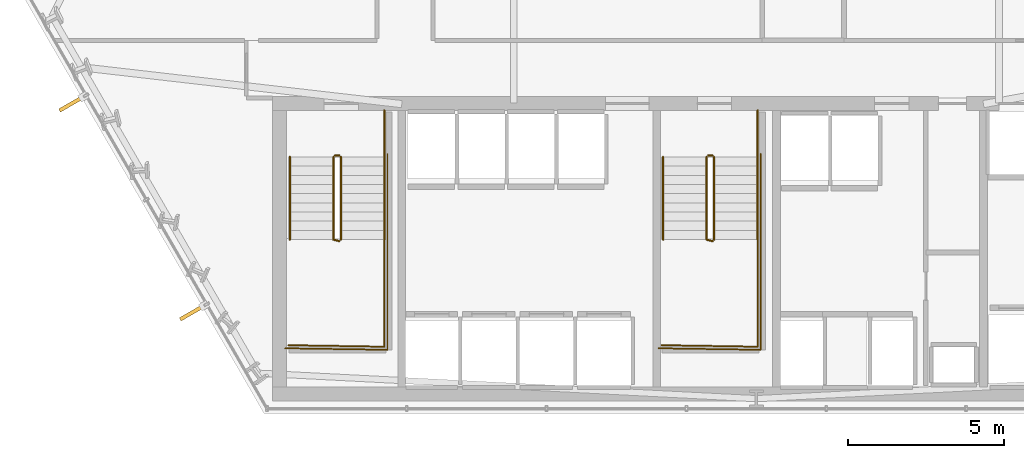
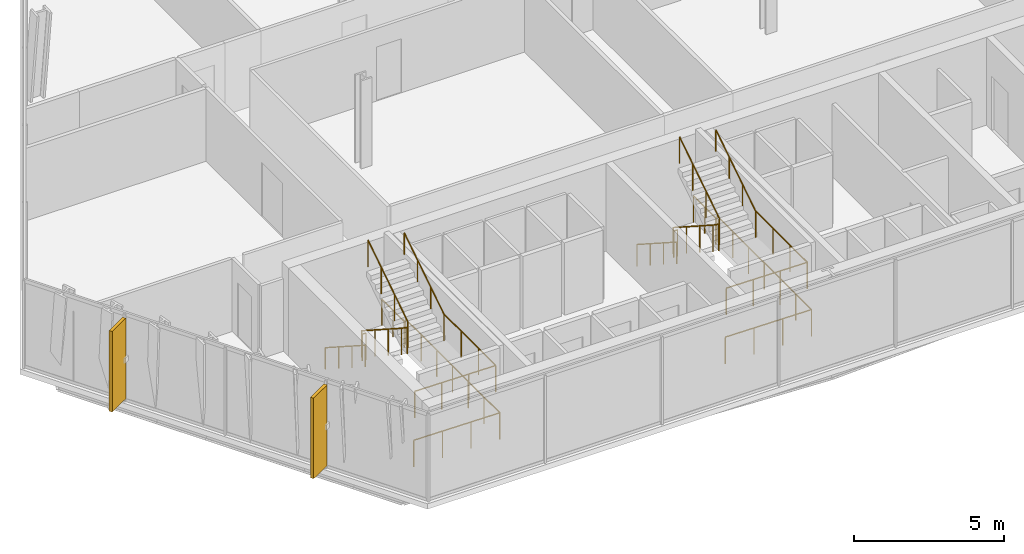
# One storey, part 29 of 32: 16 railings, 2 shading devices.
"""IFC4 building model written with IfcOpenShell, lengths in metres."""

import ifcopenshell
import ifcopenshell.guid

model = None  # the IFC model being written
_history = None  # IfcOwnerHistory: only IFC2X3 demands one
_inside = {}  # id of a spatial element -> (the spatial element, [elements in it])
_under = {}  # id of a project, library or spatial element -> (it, [spatial elements below it])
_declared = {}  # id of a project -> (the project, [libraries it declares])
_typed = {}  # id of a type object -> (the type object, [elements of that type])
_made_of = {}  # id of a material, layer set ... -> (it, [elements and type objects made of it])


def new_model(schema):
    """Start an empty IFC model of exactly this schema.

    Asked for "IFC4X3", IfcOpenShell would pick the latest addendum, in which some entities
    have other attributes; the version numbers below select the first issue.
    IFC2X3 requires an IfcOwnerHistory on every rooted entity: one is made here for all.
    """
    global model, _history
    if schema == "IFC4X3":
        model = ifcopenshell.file(schema_version=(4, 3, 0, 0))
    else:
        model = ifcopenshell.file(schema=schema)
    _inside.clear()
    _under.clear()
    _declared.clear()
    _typed.clear()
    _made_of.clear()
    _history = None
    if model.schema == "IFC2X3":
        org = make("IfcOrganization", Name="unknown")
        user = make(
            "IfcPersonAndOrganization",
            ThePerson=make("IfcPerson", FamilyName="unknown"),
            TheOrganization=org,
        )
        app = make(
            "IfcApplication",
            ApplicationDeveloper=org,
            Version="unknown",
            ApplicationFullName="unknown",
            ApplicationIdentifier="unknown",
        )
        _history = make(
            "IfcOwnerHistory",
            OwningUser=user,
            OwningApplication=app,
            ChangeAction="ADDED",
            CreationDate=0,
        )
    return model


def make(cls, **values):
    """One entity of the class cls with the attributes given. An attribute that is None is left unset."""
    return model.create_entity(
        cls, **{name: value for name, value in values.items() if value is not None}
    )


def rooted(cls, **values):
    """An entity with a GlobalId (a new one), such as an element, a storey or a relation."""
    return make(cls, GlobalId=ifcopenshell.guid.new(), OwnerHistory=_history, **values)


def si_unit(unit_type, name, prefix=None):
    """IfcSIUnit, for example si_unit("LENGTHUNIT", "METRE", prefix="MILLI")."""
    return make("IfcSIUnit", UnitType=unit_type, Prefix=prefix, Name=name)


def assignment(units):
    """IfcUnitAssignment: the units of a project."""
    return None if units is None else make("IfcUnitAssignment", Units=units)


def point(xyz):
    """IfcCartesianPoint."""
    return None if xyz is None else make("IfcCartesianPoint", Coordinates=xyz)


def direction(xyz):
    """IfcDirection."""
    return None if xyz is None else make("IfcDirection", DirectionRatios=xyz)


def frame(location, z_axis=None, x_axis=None):
    """IfcAxis2Placement3D, a coordinate frame: its origin and axes. An axis left out is left unset."""
    return make(
        "IfcAxis2Placement3D",
        Location=point(location),
        Axis=direction(z_axis),
        RefDirection=direction(x_axis),
    )


def frame_2d(location, x_axis=None):
    """IfcAxis2Placement2D, a coordinate frame in the plane: its origin and x axis."""
    return make(
        "IfcAxis2Placement2D", Location=point(location), RefDirection=direction(x_axis)
    )


def origin():
    """The frame at (0, 0, 0) with its axes left unset."""
    return frame((0.0, 0.0, 0.0))


def origin_2d():
    """The frame at (0, 0) in the plane with its x axis left unset."""
    return frame_2d((0.0, 0.0))


def place(relative_to, where):
    """IfcLocalPlacement: puts the frame where relative to a parent placement (None: the world)."""
    return make(
        "IfcLocalPlacement", PlacementRelTo=relative_to, RelativePlacement=where
    )


def context(
    kind, dimensions, precision=None, world=None, true_north=None, identifier=None
):
    """IfcGeometricRepresentationContext, for example the 3D "Model" context."""
    return make(
        "IfcGeometricRepresentationContext",
        ContextIdentifier=identifier,
        ContextType=kind,
        CoordinateSpaceDimension=dimensions,
        Precision=precision,
        WorldCoordinateSystem=world,
        TrueNorth=true_north,
    )


def subcontext(parent, identifier, kind, view, scale=None):
    """IfcGeometricRepresentationSubContext, for example "Body" below "Model"."""
    return make(
        "IfcGeometricRepresentationSubContext",
        ContextIdentifier=identifier,
        ContextType=kind,
        ParentContext=parent,
        TargetScale=scale,
        TargetView=view,
    )


def project(units=None, contexts=None):
    """IfcProject with its units and contexts."""
    return rooted(
        "IfcProject",
        Name="project",
        RepresentationContexts=contexts,
        UnitsInContext=assignment(units),
    )


def spatial(cls, under=None, at=None, **own):
    """A site, building, storey or space (cls), placed at a placement, below another one or the project."""
    s = rooted(cls, ObjectPlacement=at, **own)
    if under is not None:
        _under.setdefault(under.id(), (under, []))[1].append(s)
    return s


def profile(cls, at=None, kind="AREA", **sizes):
    """A parametric profile (cls). Its sizes go by their IFC names, for example OverallWidth=200.0."""
    return make(cls, ProfileType=kind, Position=at, **sizes)


def rectangle(**sizes):
    """IfcRectangleProfileDef."""
    return profile("IfcRectangleProfileDef", **sizes)


def circle(**sizes):
    """IfcCircleProfileDef."""
    return profile("IfcCircleProfileDef", **sizes)


def extrude(swept, where, along, depth):
    """IfcExtrudedAreaSolid: the profile swept, set in the frame where, extruded along a direction by depth."""
    return make(
        "IfcExtrudedAreaSolid",
        SweptArea=swept,
        Position=where,
        ExtrudedDirection=direction(along),
        Depth=depth,
    )


def shape(context_of_items, identifier, shape_type, items):
    """IfcShapeRepresentation: the items that make up one representation, for example the "Body"."""
    return make(
        "IfcShapeRepresentation",
        ContextOfItems=context_of_items,
        RepresentationIdentifier=identifier,
        RepresentationType=shape_type,
        Items=items,
    )


def material(Name=None, Category=None):
    """IfcMaterial."""
    return make("IfcMaterial", Name=Name, Category=Category)


def layer(
    of_material, thickness, ventilated=None, Name=None, Category=None, Priority=None
):
    """IfcMaterialLayer: one layer of a wall or slab, of a material (None: an air gap)."""
    return make(
        "IfcMaterialLayer",
        Material=of_material,
        LayerThickness=thickness,
        IsVentilated=ventilated,
        Name=Name,
        Category=Category,
        Priority=Priority,
    )


def layer_set(layers, Name=None):
    """IfcMaterialLayerSet."""
    return make("IfcMaterialLayerSet", MaterialLayers=layers, LayerSetName=Name)


def made_of(thing, what):
    """Note that an element or type object is made of a material, layer set ...; save() writes the relation."""
    if what is not None:
        _made_of.setdefault(what.id(), (what, []))[1].append(thing)
    return thing


def type_object(cls, material=None, **own):
    """A type object (cls), such as IfcWallType, which elements share."""
    return made_of(rooted(cls, **own), material)


def element(
    cls,
    number,
    at=None,
    inside=None,
    cuts=None,
    type_object=None,
    material=None,
    context=None,
    identifier="Body",
    shape_type=None,
    held_by="IfcProductDefinitionShape",
    body=None,
    shapes=None,
    **own,
):
    """One element of the class cls, such as IfcWall. Its Tag is "e" and its number.

    at: its placement. inside: the storey or other place that contains it. cuts: it is an
    opening in that element (IfcRelVoidsElement). A single representation is given by context,
    identifier, shape_type and body (its items); several are given by shapes. held_by: the class
    of the entity that holds the representations. save() writes the other relations.
    """
    e = rooted(cls, Tag="e%d" % number, ObjectPlacement=at, **own)
    if body is not None:
        shapes = [shape(context, identifier, shape_type, body)]
    if shapes is not None:
        e.Representation = make(held_by, Representations=shapes)
    if inside is not None:
        _inside.setdefault(inside.id(), (inside, []))[1].append(e)
    if cuts is not None:
        rooted(
            "IfcRelVoidsElement", RelatingBuildingElement=cuts, RelatedOpeningElement=e
        )
    if type_object is not None:
        _typed.setdefault(type_object.id(), (type_object, []))[1].append(e)
    return made_of(e, material)


def aggregate(whole, parts):
    """IfcRelAggregates: a whole, such as a stair, and the parts it consists of."""
    return rooted("IfcRelAggregates", RelatingObject=whole, RelatedObjects=parts)


def save(model, path):
    """Write the relations noted so far, then the file.

    IfcRelAggregates (storeys below a building ...), IfcRelContainedInSpatialStructure (elements
    in a storey), IfcRelDefinesByType, IfcRelAssociatesMaterial and IfcRelDeclares: one each for
    every whole, place, type object, material and project.
    """
    for whole, parts in _under.values():
        aggregate(whole, parts)
    for where, things in _inside.values():
        rooted(
            "IfcRelContainedInSpatialStructure",
            RelatedElements=things,
            RelatingStructure=where,
        )
    for kind, things in _typed.values():
        rooted("IfcRelDefinesByType", RelatedObjects=things, RelatingType=kind)
    for what, things in _made_of.values():
        rooted("IfcRelAssociatesMaterial", RelatedObjects=things, RelatingMaterial=what)
    for by, libraries in _declared.values():
        rooted("IfcRelDeclares", RelatingContext=by, RelatedDefinitions=libraries)
    model.write(path)


model = new_model("IFC4")

# Units and contexts
model_context = context("Model", 3, precision=1e-05, world=origin(), true_north=direction((0.0, 1.0)))
body_context = subcontext(model_context, "Body", "Model", "MODEL_VIEW")
ifc_project = project(units=[si_unit("LENGTHUNIT", "METRE"), si_unit("AREAUNIT", "SQUARE_METRE"), si_unit("VOLUMEUNIT", "CUBIC_METRE"), si_unit("PLANEANGLEUNIT", "RADIAN"), si_unit("MASSUNIT", "GRAM", prefix="KILO")], contexts=[model_context])

# Site, building, storey
site_placement = place(None, origin())
site = spatial("IfcSite", under=ifc_project, at=site_placement, CompositionType="ELEMENT")
building_placement = place(site_placement, origin())
building = spatial("IfcBuilding", under=site, at=building_placement, Name="Ndaravel Arena Tower", CompositionType="ELEMENT")
storey_placement = place(building_placement, frame((0.0, 0.0, 66.39990234375)))
storey = spatial("IfcBuildingStorey", under=building, at=storey_placement, Name="L14", CompositionType="ELEMENT", Elevation=66.39990234375)

# Railings
ifc_material_1 = material(Name="Steel S355", Category="steel")
ifc_layer_1 = layer(ifc_material_1, 0.06005859375)
ifc_layer_set_1 = layer_set([ifc_layer_1], Name="Steel S355")
railing_type_1 = type_object("IfcRailingType", Name="RAIL-STAIR-GD1100", PredefinedType="GUARDRAIL", material=ifc_layer_set_1)
railing_1_placement = place(storey_placement, frame((28.39990234375, 13.25, 0.190185546875)))
element("IfcRailing", 1, at=railing_1_placement, inside=storey, type_object=railing_type_1, Name="L14 ST-1 stair guard 1", PredefinedType="GUARDRAIL", context=body_context, shape_type="SweptSolid", body=[
    extrude(circle(Radius=0.02392578125, at=origin_2d()), frame((0.0, 0.0, 1.076171875), z_axis=(0.0, -0.840723540582, 0.54146461409), x_axis=(1.0, 0.0, 0.0)), (0.0, 0.0, 1.0), 3.157958984375),
    extrude(circle(Radius=0.02392578125, at=origin_2d()), frame((0.0, -2.655029296875, 2.7861328125), z_axis=(0.967074537263, -0.25449329928, 0.0), x_axis=(0.25449329928, 0.967074537263, 0.0)), (0.0, 0.0, 1.0), 0.19677734375),
    extrude(circle(Radius=0.02099609375, at=origin_2d()), origin(), (0.0, 0.0, 1.0), 1.052001953125),
    extrude(circle(Radius=0.02099609375, at=origin_2d()), frame((0.0, -0.885009765625, 0.570068359375)), (0.0, 0.0, 1.0), 1.052001953125),
    extrude(circle(Radius=0.02099609375, at=origin_2d()), frame((0.0, -1.77001953125, 1.139892578125)), (0.0, 0.0, 1.0), 1.052001953125),
    extrude(circle(Radius=0.02099609375, at=origin_2d()), frame((0.0, -2.655029296875, 1.7099609375)), (0.0, 0.0, 1.0), 1.052001953125),
    extrude(circle(Radius=0.02099609375, at=origin_2d()), frame((0.190185546875, -2.705078125, 1.7099609375)), (0.0, 0.0, 1.0), 1.052001953125),
])
railing_2_placement = place(storey_placement, frame((30.0400390625, 10.594970703125, 1.900146484375)))
element("IfcRailing", 2, at=railing_2_placement, inside=storey, type_object=railing_type_1, Name="L14 ST-1 stair guard 2", PredefinedType="GUARDRAIL", context=body_context, shape_type="SweptSolid", body=[
    extrude(circle(Radius=0.02392578125, at=origin_2d()), frame((0.0, 0.0, 1.076171875), z_axis=(0.0, -1.0, 0.0), x_axis=(1.0, 0.0, 0.0)), (0.0, 0.0, 1.0), 3.445068359375),
    extrude(circle(Radius=0.02392578125, at=origin_2d()), frame((0.0, -3.445068359375, 1.076171875), z_axis=(-0.999868861343, 0.016194447071, 0.0), x_axis=(-0.016194447071, -0.999868861343, 0.0)), (0.0, 0.0, 1.0), 3.090576171875),
    extrude(circle(Radius=0.02099609375, at=origin_2d()), origin(), (0.0, 0.0, 1.0), 1.052001953125),
    extrude(circle(Radius=0.02099609375, at=origin_2d()), frame((0.0, -1.1484375, 0.0)), (0.0, 0.0, 1.0), 1.052001953125),
    extrude(circle(Radius=0.02099609375, at=origin_2d()), frame((0.0, -2.296630859375, 0.0)), (0.0, 0.0, 1.0), 1.052001953125),
    extrude(circle(Radius=0.02099609375, at=origin_2d()), frame((0.0, -3.445068359375, 0.0)), (0.0, 0.0, 1.0), 1.052001953125),
    extrude(circle(Radius=0.02099609375, at=origin_2d()), frame((-1.030029296875, -3.428466796875, 0.0)), (0.0, 0.0, 1.0), 1.052001953125),
    extrude(circle(Radius=0.02099609375, at=origin_2d()), frame((-2.06005859375, -3.41162109375, 0.0)), (0.0, 0.0, 1.0), 1.052001953125),
    extrude(circle(Radius=0.02099609375, at=origin_2d()), frame((-3.090087890625, -3.39501953125, 0.0)), (0.0, 0.0, 1.0), 1.052001953125),
])
railing_3_placement = place(storey_placement, frame((28.639892578125, 10.594970703125, 2.090087890625)))
element("IfcRailing", 3, at=railing_3_placement, inside=storey, type_object=railing_type_1, Name="L14 ST-1 stair guard 3", PredefinedType="GUARDRAIL", context=body_context, shape_type="SweptSolid", body=[
    extrude(circle(Radius=0.02392578125, at=origin_2d()), frame((0.0, 0.0, 1.076171875), z_axis=(0.0, 0.840723540582, 0.54146461409), x_axis=(-1.0, 0.0, 0.0)), (0.0, 0.0, 1.0), 3.157958984375),
    extrude(circle(Radius=0.02099609375, at=origin_2d()), origin(), (0.0, 0.0, 1.0), 1.052001953125),
    extrude(circle(Radius=0.02099609375, at=origin_2d()), frame((0.0, 0.885009765625, 0.570068359375)), (0.0, 0.0, 1.0), 1.052001953125),
    extrude(circle(Radius=0.02099609375, at=origin_2d()), frame((0.0, 1.77001953125, 1.139892578125)), (0.0, 0.0, 1.0), 1.052001953125),
    extrude(circle(Radius=0.02099609375, at=origin_2d()), frame((0.0, 2.655029296875, 1.7099609375)), (0.0, 0.0, 1.0), 1.052001953125),
])
railing_4_placement = place(storey_placement, frame((28.449951171875, 13.300048828125, 0.0)))
element("IfcRailing", 4, at=railing_4_placement, inside=storey, type_object=railing_type_1, Name="L14 ST-1 stair guard 4", PredefinedType="GUARDRAIL", context=body_context, shape_type="SweptSolid", body=[
    extrude(circle(Radius=0.02392578125, at=origin_2d()), frame((0.0, 0.0, 1.076171875), z_axis=(1.0, 0.0, 0.0), x_axis=(0.0, 1.0, 0.0)), (0.0, 0.0, 1.0), 0.14013671875),
    extrude(circle(Radius=0.02099609375, at=origin_2d()), origin(), (0.0, 0.0, 1.0), 1.052001953125),
    extrude(circle(Radius=0.02099609375, at=origin_2d()), frame((0.14013671875, 0.0, 0.0)), (0.0, 0.0, 1.0), 1.052001953125),
])
railing_5_placement = place(storey_placement, frame((30.0400390625, 14.75, 0.0)))
element("IfcRailing", 5, at=railing_5_placement, inside=storey, type_object=railing_type_1, Name="L14 ST-1 stair guard 5", PredefinedType="GUARDRAIL", context=body_context, shape_type="SweptSolid", body=[
    extrude(circle(Radius=0.02392578125, at=origin_2d()), frame((0.0, 0.0, 1.076171875), z_axis=(0.0, -1.0, 0.0), x_axis=(1.0, 0.0, 0.0)), (0.0, 0.0, 1.0), 1.5),
    extrude(circle(Radius=0.02099609375, at=origin_2d()), origin(), (0.0, 0.0, 1.0), 1.052001953125),
    extrude(circle(Radius=0.02099609375, at=origin_2d()), frame((0.0, -0.75, 0.0)), (0.0, 0.0, 1.0), 1.052001953125),
    extrude(circle(Radius=0.02099609375, at=origin_2d()), frame((0.0, -1.5, 0.0)), (0.0, 0.0, 1.0), 1.052001953125),
])
railing_6_placement = place(storey_placement, frame((30.139892578125, 13.35009765625, 0.0)))
element("IfcRailing", 6, at=railing_6_placement, inside=storey, type_object=railing_type_1, Name="L14 ST-1 stair guard 6", PredefinedType="GUARDRAIL", context=body_context, shape_type="SweptSolid", body=[
    extrude(circle(Radius=0.02392578125, at=origin_2d()), frame((0.0, 0.0, 1.076171875), z_axis=(0.0, -1.0, 0.0), x_axis=(1.0, 0.0, 0.0)), (0.0, 0.0, 1.0), 6.300048828125),
    extrude(circle(Radius=0.02392578125, at=origin_2d()), frame((0.0, -6.300048828125, 1.076171875), z_axis=(-0.999884296952, 0.015211597839, 0.0), x_axis=(-0.015211597839, -0.999884296952, 0.0)), (0.0, 0.0, 1.0), 3.290283203125),
    extrude(circle(Radius=0.02099609375, at=origin_2d()), origin(), (0.0, 0.0, 1.0), 1.052001953125),
    extrude(circle(Radius=0.02099609375, at=origin_2d()), frame((0.0, -1.050048828125, 0.0)), (0.0, 0.0, 1.0), 1.052001953125),
    extrude(circle(Radius=0.02099609375, at=origin_2d()), frame((0.0, -2.10009765625, 0.0)), (0.0, 0.0, 1.0), 1.052001953125),
    extrude(circle(Radius=0.02099609375, at=origin_2d()), frame((0.0, -3.14990234375, 0.0)), (0.0, 0.0, 1.0), 1.052001953125),
    extrude(circle(Radius=0.02099609375, at=origin_2d()), frame((0.0, -4.199951171875, 0.0)), (0.0, 0.0, 1.0), 1.052001953125),
    extrude(circle(Radius=0.02099609375, at=origin_2d()), frame((0.0, -5.25, 0.0)), (0.0, 0.0, 1.0), 1.052001953125),
    extrude(circle(Radius=0.02099609375, at=origin_2d()), frame((0.0, -6.300048828125, 0.0)), (0.0, 0.0, 1.0), 1.052001953125),
    extrude(circle(Radius=0.02099609375, at=origin_2d()), frame((-1.0966796875, -6.283447265625, 0.0)), (0.0, 0.0, 1.0), 1.052001953125),
    extrude(circle(Radius=0.02099609375, at=origin_2d()), frame((-2.193115234375, -6.2666015625, 0.0)), (0.0, 0.0, 1.0), 1.052001953125),
    extrude(circle(Radius=0.02099609375, at=origin_2d()), frame((-3.289794921875, -6.25, 0.0)), (0.0, 0.0, 1.0), 1.052001953125),
])
railing_7_placement = place(storey_placement, frame((40.39990234375, 13.25, 0.190185546875)))
element("IfcRailing", 7, at=railing_7_placement, inside=storey, type_object=railing_type_1, Name="L14 ST-2 stair guard 1", PredefinedType="GUARDRAIL", context=body_context, shape_type="SweptSolid", body=[
    extrude(circle(Radius=0.02392578125, at=origin_2d()), frame((0.0, 0.0, 1.076171875), z_axis=(0.0, -0.840723540582, 0.54146461409), x_axis=(1.0, 0.0, 0.0)), (0.0, 0.0, 1.0), 3.157958984375),
    extrude(circle(Radius=0.02392578125, at=origin_2d()), frame((0.0, -2.655029296875, 2.7861328125), z_axis=(0.967074537263, -0.25449329928, 0.0), x_axis=(0.25449329928, 0.967074537263, 0.0)), (0.0, 0.0, 1.0), 0.19677734375),
    extrude(circle(Radius=0.02099609375, at=origin_2d()), origin(), (0.0, 0.0, 1.0), 1.052001953125),
    extrude(circle(Radius=0.02099609375, at=origin_2d()), frame((0.0, -0.885009765625, 0.570068359375)), (0.0, 0.0, 1.0), 1.052001953125),
    extrude(circle(Radius=0.02099609375, at=origin_2d()), frame((0.0, -1.77001953125, 1.139892578125)), (0.0, 0.0, 1.0), 1.052001953125),
    extrude(circle(Radius=0.02099609375, at=origin_2d()), frame((0.0, -2.655029296875, 1.7099609375)), (0.0, 0.0, 1.0), 1.052001953125),
    extrude(circle(Radius=0.02099609375, at=origin_2d()), frame((0.190185546875, -2.705078125, 1.7099609375)), (0.0, 0.0, 1.0), 1.052001953125),
])
railing_8_placement = place(storey_placement, frame((42.0400390625, 10.594970703125, 1.900146484375)))
element("IfcRailing", 8, at=railing_8_placement, inside=storey, type_object=railing_type_1, Name="L14 ST-2 stair guard 2", PredefinedType="GUARDRAIL", context=body_context, shape_type="SweptSolid", body=[
    extrude(circle(Radius=0.02392578125, at=origin_2d()), frame((0.0, 0.0, 1.076171875), z_axis=(0.0, -1.0, 0.0), x_axis=(1.0, 0.0, 0.0)), (0.0, 0.0, 1.0), 3.445068359375),
    extrude(circle(Radius=0.02392578125, at=origin_2d()), frame((0.0, -3.445068359375, 1.076171875), z_axis=(-0.999868861343, 0.016194447071, 0.0), x_axis=(-0.016194447071, -0.999868861343, 0.0)), (0.0, 0.0, 1.0), 3.090576171875),
    extrude(circle(Radius=0.02099609375, at=origin_2d()), origin(), (0.0, 0.0, 1.0), 1.052001953125),
    extrude(circle(Radius=0.02099609375, at=origin_2d()), frame((0.0, -1.1484375, 0.0)), (0.0, 0.0, 1.0), 1.052001953125),
    extrude(circle(Radius=0.02099609375, at=origin_2d()), frame((0.0, -2.296630859375, 0.0)), (0.0, 0.0, 1.0), 1.052001953125),
    extrude(circle(Radius=0.02099609375, at=origin_2d()), frame((0.0, -3.445068359375, 0.0)), (0.0, 0.0, 1.0), 1.052001953125),
    extrude(circle(Radius=0.02099609375, at=origin_2d()), frame((-1.030029296875, -3.428466796875, 0.0)), (0.0, 0.0, 1.0), 1.052001953125),
    extrude(circle(Radius=0.02099609375, at=origin_2d()), frame((-2.06005859375, -3.41162109375, 0.0)), (0.0, 0.0, 1.0), 1.052001953125),
    extrude(circle(Radius=0.02099609375, at=origin_2d()), frame((-3.090087890625, -3.39501953125, 0.0)), (0.0, 0.0, 1.0), 1.052001953125),
])
railing_9_placement = place(storey_placement, frame((40.639892578125, 10.594970703125, 2.090087890625)))
element("IfcRailing", 9, at=railing_9_placement, inside=storey, type_object=railing_type_1, Name="L14 ST-2 stair guard 3", PredefinedType="GUARDRAIL", context=body_context, shape_type="SweptSolid", body=[
    extrude(circle(Radius=0.02392578125, at=origin_2d()), frame((0.0, 0.0, 1.076171875), z_axis=(0.0, 0.840723540582, 0.54146461409), x_axis=(-1.0, 0.0, 0.0)), (0.0, 0.0, 1.0), 3.157958984375),
    extrude(circle(Radius=0.02099609375, at=origin_2d()), origin(), (0.0, 0.0, 1.0), 1.052001953125),
    extrude(circle(Radius=0.02099609375, at=origin_2d()), frame((0.0, 0.885009765625, 0.570068359375)), (0.0, 0.0, 1.0), 1.052001953125),
    extrude(circle(Radius=0.02099609375, at=origin_2d()), frame((0.0, 1.77001953125, 1.139892578125)), (0.0, 0.0, 1.0), 1.052001953125),
    extrude(circle(Radius=0.02099609375, at=origin_2d()), frame((0.0, 2.655029296875, 1.7099609375)), (0.0, 0.0, 1.0), 1.052001953125),
])
railing_10_placement = place(storey_placement, frame((40.449951171875, 13.300048828125, 0.0)))
element("IfcRailing", 10, at=railing_10_placement, inside=storey, type_object=railing_type_1, Name="L14 ST-2 stair guard 4", PredefinedType="GUARDRAIL", context=body_context, shape_type="SweptSolid", body=[
    extrude(circle(Radius=0.02392578125, at=origin_2d()), frame((0.0, 0.0, 1.076171875), z_axis=(1.0, 0.0, 0.0), x_axis=(0.0, 1.0, 0.0)), (0.0, 0.0, 1.0), 0.14013671875),
    extrude(circle(Radius=0.02099609375, at=origin_2d()), origin(), (0.0, 0.0, 1.0), 1.052001953125),
    extrude(circle(Radius=0.02099609375, at=origin_2d()), frame((0.14013671875, 0.0, 0.0)), (0.0, 0.0, 1.0), 1.052001953125),
])
railing_11_placement = place(storey_placement, frame((42.0400390625, 14.75, 0.0)))
element("IfcRailing", 11, at=railing_11_placement, inside=storey, type_object=railing_type_1, Name="L14 ST-2 stair guard 5", PredefinedType="GUARDRAIL", context=body_context, shape_type="SweptSolid", body=[
    extrude(circle(Radius=0.02392578125, at=origin_2d()), frame((0.0, 0.0, 1.076171875), z_axis=(0.0, -1.0, 0.0), x_axis=(1.0, 0.0, 0.0)), (0.0, 0.0, 1.0), 1.5),
    extrude(circle(Radius=0.02099609375, at=origin_2d()), origin(), (0.0, 0.0, 1.0), 1.052001953125),
    extrude(circle(Radius=0.02099609375, at=origin_2d()), frame((0.0, -0.75, 0.0)), (0.0, 0.0, 1.0), 1.052001953125),
    extrude(circle(Radius=0.02099609375, at=origin_2d()), frame((0.0, -1.5, 0.0)), (0.0, 0.0, 1.0), 1.052001953125),
])
railing_12_placement = place(storey_placement, frame((42.139892578125, 13.35009765625, 0.0)))
element("IfcRailing", 12, at=railing_12_placement, inside=storey, type_object=railing_type_1, Name="L14 ST-2 stair guard 6", PredefinedType="GUARDRAIL", context=body_context, shape_type="SweptSolid", body=[
    extrude(circle(Radius=0.02392578125, at=origin_2d()), frame((0.0, 0.0, 1.076171875), z_axis=(0.0, -1.0, 0.0), x_axis=(1.0, 0.0, 0.0)), (0.0, 0.0, 1.0), 6.300048828125),
    extrude(circle(Radius=0.02392578125, at=origin_2d()), frame((0.0, -6.300048828125, 1.076171875), z_axis=(-0.999884296952, 0.015211597839, 0.0), x_axis=(-0.015211597839, -0.999884296952, 0.0)), (0.0, 0.0, 1.0), 3.290283203125),
    extrude(circle(Radius=0.02099609375, at=origin_2d()), origin(), (0.0, 0.0, 1.0), 1.052001953125),
    extrude(circle(Radius=0.02099609375, at=origin_2d()), frame((0.0, -1.050048828125, 0.0)), (0.0, 0.0, 1.0), 1.052001953125),
    extrude(circle(Radius=0.02099609375, at=origin_2d()), frame((0.0, -2.10009765625, 0.0)), (0.0, 0.0, 1.0), 1.052001953125),
    extrude(circle(Radius=0.02099609375, at=origin_2d()), frame((0.0, -3.14990234375, 0.0)), (0.0, 0.0, 1.0), 1.052001953125),
    extrude(circle(Radius=0.02099609375, at=origin_2d()), frame((0.0, -4.199951171875, 0.0)), (0.0, 0.0, 1.0), 1.052001953125),
    extrude(circle(Radius=0.02099609375, at=origin_2d()), frame((0.0, -5.25, 0.0)), (0.0, 0.0, 1.0), 1.052001953125),
    extrude(circle(Radius=0.02099609375, at=origin_2d()), frame((0.0, -6.300048828125, 0.0)), (0.0, 0.0, 1.0), 1.052001953125),
    extrude(circle(Radius=0.02099609375, at=origin_2d()), frame((-1.0966796875, -6.283447265625, 0.0)), (0.0, 0.0, 1.0), 1.052001953125),
    extrude(circle(Radius=0.02099609375, at=origin_2d()), frame((-2.193115234375, -6.2666015625, 0.0)), (0.0, 0.0, 1.0), 1.052001953125),
    extrude(circle(Radius=0.02099609375, at=origin_2d()), frame((-3.289794921875, -6.25, 0.0)), (0.0, 0.0, 1.0), 1.052001953125),
])
ifc_material_2 = material(Name="Steel S355", Category="steel")
ifc_layer_2 = layer(ifc_material_2, 0.050048828125)
ifc_layer_set_2 = layer_set([ifc_layer_2], Name="Steel S355")
railing_type_2 = type_object("IfcRailingType", Name="RAIL-STAIR-HR920", PredefinedType="HANDRAIL", material=ifc_layer_set_2)
railing_13_placement = place(storey_placement, frame((27.0, 13.25, 0.190185546875)))
element("IfcRailing", 13, at=railing_13_placement, inside=storey, type_object=railing_type_2, Name="L14 ST-1 stair handrail 1", PredefinedType="HANDRAIL", context=body_context, shape_type="SweptSolid", body=[
    extrude(circle(Radius=0.02392578125, at=origin_2d()), frame((0.0, 0.0, 0.8759765625), z_axis=(0.0, -0.840723540582, 0.54146461409), x_axis=(1.0, 0.0, 0.0)), (0.0, 0.0, 1.0), 3.157958984375),
    extrude(circle(Radius=0.02099609375, at=origin_2d()), origin(), (0.0, 0.0, 1.0), 0.851806640625),
    extrude(circle(Radius=0.02099609375, at=origin_2d()), frame((0.0, -0.885009765625, 0.570068359375)), (0.0, 0.0, 1.0), 0.851806640625),
    extrude(circle(Radius=0.02099609375, at=origin_2d()), frame((0.0, -1.77001953125, 1.139892578125)), (0.0, 0.0, 1.0), 0.851806640625),
    extrude(circle(Radius=0.02099609375, at=origin_2d()), frame((0.0, -2.655029296875, 1.7099609375)), (0.0, 0.0, 1.0), 0.851806640625),
])
railing_14_placement = place(storey_placement, frame((30.0400390625, 10.594970703125, 2.090087890625)))
element("IfcRailing", 14, at=railing_14_placement, inside=storey, type_object=railing_type_2, Name="L14 ST-1 stair handrail 2", PredefinedType="HANDRAIL", context=body_context, shape_type="SweptSolid", body=[
    extrude(circle(Radius=0.02392578125, at=origin_2d()), frame((0.0, 0.0, 0.8759765625), z_axis=(0.0, 0.840723540582, 0.54146461409), x_axis=(-1.0, 0.0, 0.0)), (0.0, 0.0, 1.0), 3.157958984375),
    extrude(circle(Radius=0.02099609375, at=origin_2d()), origin(), (0.0, 0.0, 1.0), 0.851806640625),
    extrude(circle(Radius=0.02099609375, at=origin_2d()), frame((0.0, 0.885009765625, 0.570068359375)), (0.0, 0.0, 1.0), 0.851806640625),
    extrude(circle(Radius=0.02099609375, at=origin_2d()), frame((0.0, 1.77001953125, 1.139892578125)), (0.0, 0.0, 1.0), 0.851806640625),
    extrude(circle(Radius=0.02099609375, at=origin_2d()), frame((0.0, 2.655029296875, 1.7099609375)), (0.0, 0.0, 1.0), 0.851806640625),
])
railing_15_placement = place(storey_placement, frame((39.0, 13.25, 0.190185546875)))
element("IfcRailing", 15, at=railing_15_placement, inside=storey, type_object=railing_type_2, Name="L14 ST-2 stair handrail 1", PredefinedType="HANDRAIL", context=body_context, shape_type="SweptSolid", body=[
    extrude(circle(Radius=0.02392578125, at=origin_2d()), frame((0.0, 0.0, 0.8759765625), z_axis=(0.0, -0.840723540582, 0.54146461409), x_axis=(1.0, 0.0, 0.0)), (0.0, 0.0, 1.0), 3.157958984375),
    extrude(circle(Radius=0.02099609375, at=origin_2d()), origin(), (0.0, 0.0, 1.0), 0.851806640625),
    extrude(circle(Radius=0.02099609375, at=origin_2d()), frame((0.0, -0.885009765625, 0.570068359375)), (0.0, 0.0, 1.0), 0.851806640625),
    extrude(circle(Radius=0.02099609375, at=origin_2d()), frame((0.0, -1.77001953125, 1.139892578125)), (0.0, 0.0, 1.0), 0.851806640625),
    extrude(circle(Radius=0.02099609375, at=origin_2d()), frame((0.0, -2.655029296875, 1.7099609375)), (0.0, 0.0, 1.0), 0.851806640625),
])
railing_16_placement = place(storey_placement, frame((42.0400390625, 10.594970703125, 2.090087890625)))
element("IfcRailing", 16, at=railing_16_placement, inside=storey, type_object=railing_type_2, Name="L14 ST-2 stair handrail 2", PredefinedType="HANDRAIL", context=body_context, shape_type="SweptSolid", body=[
    extrude(circle(Radius=0.02392578125, at=origin_2d()), frame((0.0, 0.0, 0.8759765625), z_axis=(0.0, 0.840723540582, 0.54146461409), x_axis=(-1.0, 0.0, 0.0)), (0.0, 0.0, 1.0), 3.157958984375),
    extrude(circle(Radius=0.02099609375, at=origin_2d()), origin(), (0.0, 0.0, 1.0), 0.851806640625),
    extrude(circle(Radius=0.02099609375, at=origin_2d()), frame((0.0, 0.885009765625, 0.570068359375)), (0.0, 0.0, 1.0), 0.851806640625),
    extrude(circle(Radius=0.02099609375, at=origin_2d()), frame((0.0, 1.77001953125, 1.139892578125)), (0.0, 0.0, 1.0), 0.851806640625),
    extrude(circle(Radius=0.02099609375, at=origin_2d()), frame((0.0, 2.655029296875, 1.7099609375)), (0.0, 0.0, 1.0), 0.851806640625),
])

# Shading devices
ifc_material_3 = material(Name="Masonry", Category="masonry")
shading_device_type = type_object("IfcShadingDeviceType", Name="SHD-MAZERAS-FIN", PredefinedType="SHUTTER", material=ifc_material_3)
for number, where, z_axis, x_axis, name in (
    (17, (19.985595703125, 14.968505859375, 0.14990234375), (0.0, 0.0, 1.0), (-0.866025403784, -0.5, 0.0), "L14 Mazeras Stone Solar Fin E6.1"),
    (18, (23.863525390625, 8.25146484375, 0.14990234375), (0.0, 0.0, 1.0), (-0.866025403784, -0.5, 0.0), "L14 Mazeras Stone Solar Fin E6.2"),
):
    element("IfcShadingDevice", number, at=place(storey_placement, frame(where, z_axis=z_axis, x_axis=x_axis)), inside=storey, type_object=shading_device_type, Name=name, PredefinedType="SHUTTER", context=body_context, shape_type="SweptSolid", body=[
        extrude(rectangle(XDim=0.89990234375, YDim=0.1201171875, at=origin_2d()), origin(), (0.0, 0.0, 1.0), 3.280029296875),
    ])

save(model, "model.ifc")
